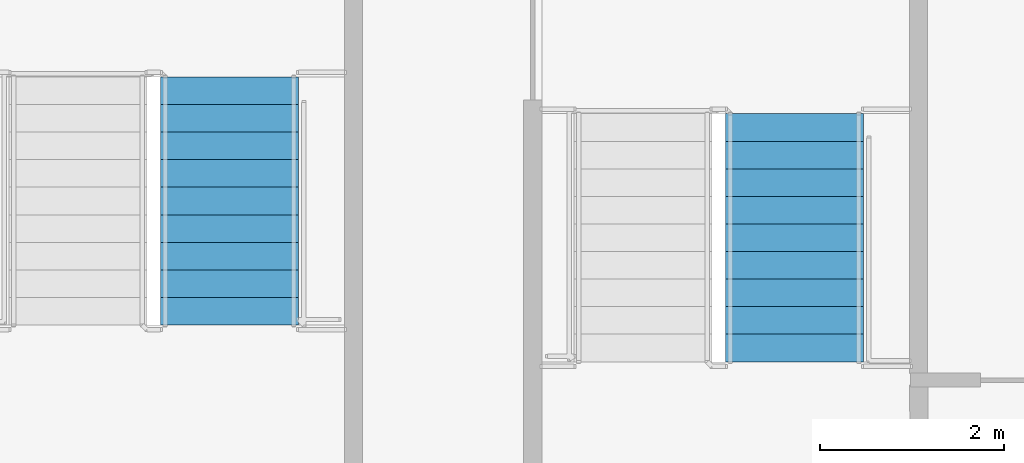
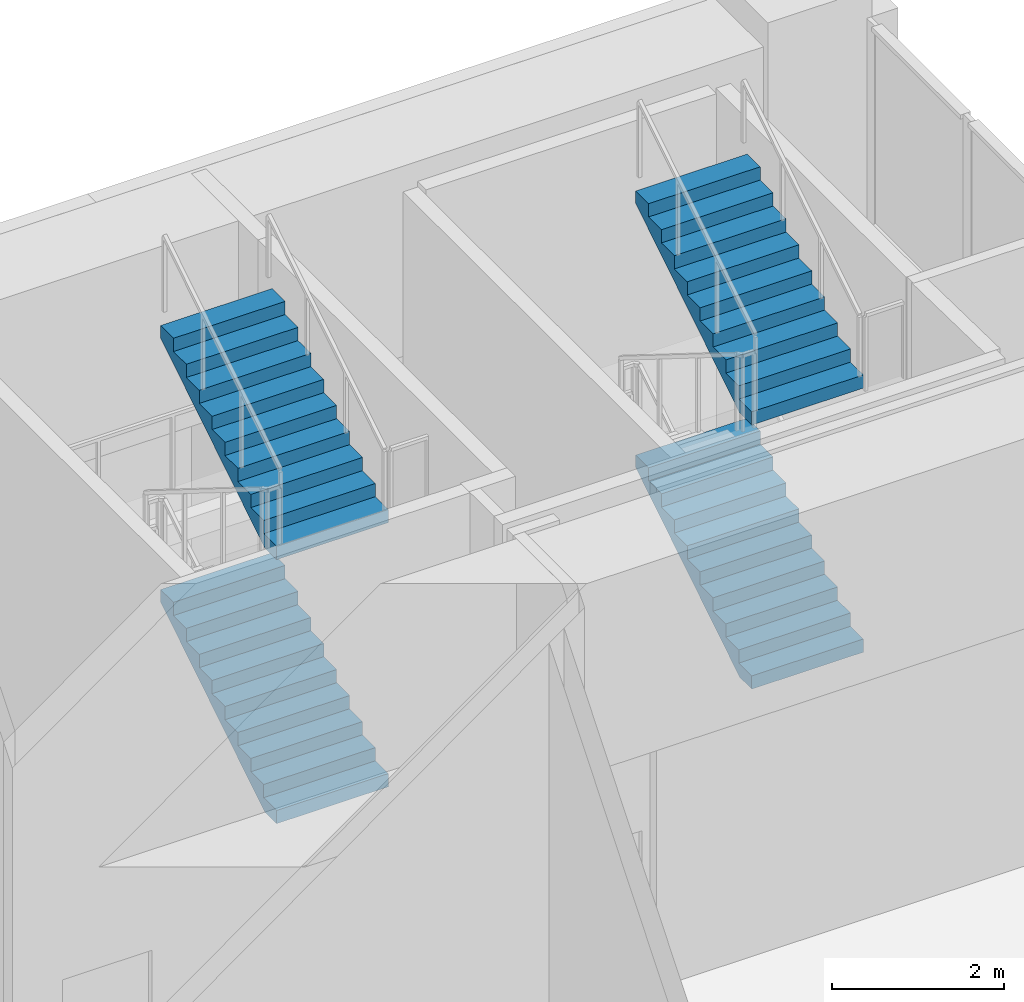
# One storey, part 17 of 29: 4 stair flights, 2 elements without a shape of their own.
"""IFC4 building model written with IfcOpenShell, lengths in metres."""

from ifc_helpers import new_model, si_unit, direction, frame, origin, place, context, subcontext, project, spatial, polyline, outline, extrude, material, type_object, element, aggregate, save


model = new_model("IFC4")

# Units and contexts
model_context = context("Model", 3, precision=1e-05, world=origin(), true_north=direction((0.0, 1.0)))
body_context = subcontext(model_context, "Body", "Model", "MODEL_VIEW")
ifc_project = project(units=[si_unit("LENGTHUNIT", "METRE"), si_unit("AREAUNIT", "SQUARE_METRE"), si_unit("VOLUMEUNIT", "CUBIC_METRE"), si_unit("PLANEANGLEUNIT", "RADIAN"), si_unit("MASSUNIT", "GRAM", prefix="KILO")], contexts=[model_context])

# Site, building, storey
site_placement = place(None, origin())
site = spatial("IfcSite", under=ifc_project, at=site_placement, CompositionType="ELEMENT")
building_placement = place(site_placement, origin())
building = spatial("IfcBuilding", under=site, at=building_placement, Name="Vermilion Ogive Tower", CompositionType="ELEMENT")
storey_placement = place(building_placement, frame((0.0, 0.0, 12.5)))
storey = spatial("IfcBuildingStorey", under=building, at=storey_placement, Name="L02", CompositionType="ELEMENT", Elevation=12.5)

# Stair, stair flights
ifc_material_1 = material(Name="Concrete B40", Category="concrete")
stair_type = type_object("IfcStairType", Name="Exit stair 1500", PredefinedType="HALF_TURN_STAIR", material=ifc_material_1)
stair_1_placement = place(storey_placement, origin())
stair_1 = element("IfcStair", 1, at=stair_1_placement, inside=storey, type_object=stair_type, Name="L02 Exit Stair PS2", PredefinedType="HALF_TURN_STAIR")
ifc_material_2 = material(Name="Concrete B40", Category="concrete")
stair_flight_type = type_object("IfcStairFlightType", Name="Stair flight 1500", PredefinedType="STRAIGHT", material=ifc_material_2)
stair_flight_1_placement = place(storey_placement, frame((41.39990234375, 24.449951171875, 1.875), z_axis=(0.0, 0.0, 1.0), x_axis=(0.0, 1.0, 0.0)))
stair_flight_1 = element("IfcStairFlight", 2, at=stair_flight_1_placement, type_object=stair_flight_type, Name="PS2 flight 2", NumberOfRisers=10, NumberOfTreads=9, PredefinedType="STRAIGHT", RiserHeight=0.1875, TreadLength=0.3, context=body_context, shape_type="SweptSolid", body=[
    extrude(outline(polyline([(0.0, 0.0), (0.0, 0.1875), (0.300048828125, 0.1875), (0.300048828125, 0.375), (0.60009765625, 0.375), (0.60009765625, 0.5625), (0.89990234375, 0.5625), (0.89990234375, 0.75), (1.199951171875, 0.75), (1.199951171875, 0.9375), (1.5, 0.9375), (1.5, 1.125), (1.800048828125, 1.125), (1.800048828125, 1.3125), (2.10009765625, 1.3125), (2.10009765625, 1.5), (2.39990234375, 1.5), (2.39990234375, 1.6875), (2.699951171875, 1.6875), (2.699951171875, 1.875), (2.699951171875, 1.5107421875), (0.28271484375, 0.0), (0.0, 0.0)])), frame((0.0, 0.75, 0.0), z_axis=(0.0, -1.0, 0.0), x_axis=(1.0, 0.0, 0.0)), (0.0, 0.0, 1.0), 1.5),
])
stair_flight_2_placement = place(storey_placement, frame((41.39990234375, 24.449951171875, 5.625), z_axis=(0.0, 0.0, 1.0), x_axis=(0.0, 1.0, 0.0)))
stair_flight_2 = element("IfcStairFlight", 3, at=stair_flight_2_placement, type_object=stair_flight_type, Name="PS2 flight 4", NumberOfRisers=10, NumberOfTreads=9, PredefinedType="STRAIGHT", RiserHeight=0.1875, TreadLength=0.3, context=body_context, shape_type="SweptSolid", body=[
    extrude(outline(polyline([(0.0, 0.0), (0.0, 0.1875), (0.300048828125, 0.1875), (0.300048828125, 0.375), (0.60009765625, 0.375), (0.60009765625, 0.5625), (0.89990234375, 0.5625), (0.89990234375, 0.75), (1.199951171875, 0.75), (1.199951171875, 0.9375), (1.5, 0.9375), (1.5, 1.125), (1.800048828125, 1.125), (1.800048828125, 1.3125), (2.10009765625, 1.3125), (2.10009765625, 1.5), (2.39990234375, 1.5), (2.39990234375, 1.6875), (2.699951171875, 1.6875), (2.699951171875, 1.875), (2.699951171875, 1.5107421875), (0.28271484375, 0.0), (0.0, 0.0)])), frame((0.0, 0.75, 0.0), z_axis=(0.0, -1.0, 0.0), x_axis=(1.0, 0.0, 0.0)), (0.0, 0.0, 1.0), 1.5),
])
aggregate(stair_1, [stair_flight_1, stair_flight_2])

stair_2_placement = place(storey_placement, origin())
stair_2 = element("IfcStair", 4, at=stair_2_placement, inside=storey, type_object=stair_type, Name="L02 Exit Stair PEN", PredefinedType="HALF_TURN_STAIR")
stair_flight_3_placement = place(storey_placement, frame((47.550048828125, 24.050048828125, 1.875), z_axis=(0.0, 0.0, 1.0), x_axis=(0.0, 1.0, 0.0)))
stair_flight_3 = element("IfcStairFlight", 5, at=stair_flight_3_placement, type_object=stair_flight_type, Name="PEN flight 2", NumberOfRisers=10, NumberOfTreads=9, PredefinedType="STRAIGHT", RiserHeight=0.1875, TreadLength=0.3, context=body_context, shape_type="SweptSolid", body=[
    extrude(outline(polyline([(0.0, 0.0), (0.0, 0.1875), (0.300048828125, 0.1875), (0.300048828125, 0.375), (0.60009765625, 0.375), (0.60009765625, 0.5625), (0.89990234375, 0.5625), (0.89990234375, 0.75), (1.199951171875, 0.75), (1.199951171875, 0.9375), (1.5, 0.9375), (1.5, 1.125), (1.800048828125, 1.125), (1.800048828125, 1.3125), (2.10009765625, 1.3125), (2.10009765625, 1.5), (2.39990234375, 1.5), (2.39990234375, 1.6875), (2.699951171875, 1.6875), (2.699951171875, 1.875), (2.699951171875, 1.5107421875), (0.28271484375, 0.0), (0.0, 0.0)])), frame((0.0, 0.75, 0.0), z_axis=(0.0, -1.0, 0.0), x_axis=(1.0, 0.0, 0.0)), (0.0, 0.0, 1.0), 1.5),
])
stair_flight_4_placement = place(storey_placement, frame((47.550048828125, 24.050048828125, 5.625), z_axis=(0.0, 0.0, 1.0), x_axis=(0.0, 1.0, 0.0)))
stair_flight_4 = element("IfcStairFlight", 6, at=stair_flight_4_placement, type_object=stair_flight_type, Name="PEN flight 4", NumberOfRisers=10, NumberOfTreads=9, PredefinedType="STRAIGHT", RiserHeight=0.1875, TreadLength=0.3, context=body_context, shape_type="SweptSolid", body=[
    extrude(outline(polyline([(0.0, 0.0), (0.0, 0.1875), (0.300048828125, 0.1875), (0.300048828125, 0.375), (0.60009765625, 0.375), (0.60009765625, 0.5625), (0.89990234375, 0.5625), (0.89990234375, 0.75), (1.199951171875, 0.75), (1.199951171875, 0.9375), (1.5, 0.9375), (1.5, 1.125), (1.800048828125, 1.125), (1.800048828125, 1.3125), (2.10009765625, 1.3125), (2.10009765625, 1.5), (2.39990234375, 1.5), (2.39990234375, 1.6875), (2.699951171875, 1.6875), (2.699951171875, 1.875), (2.699951171875, 1.5107421875), (0.28271484375, 0.0), (0.0, 0.0)])), frame((0.0, 0.75, 0.0), z_axis=(0.0, -1.0, 0.0), x_axis=(1.0, 0.0, 0.0)), (0.0, 0.0, 1.0), 1.5),
])
aggregate(stair_2, [stair_flight_3, stair_flight_4])

save(model, "model.ifc")
